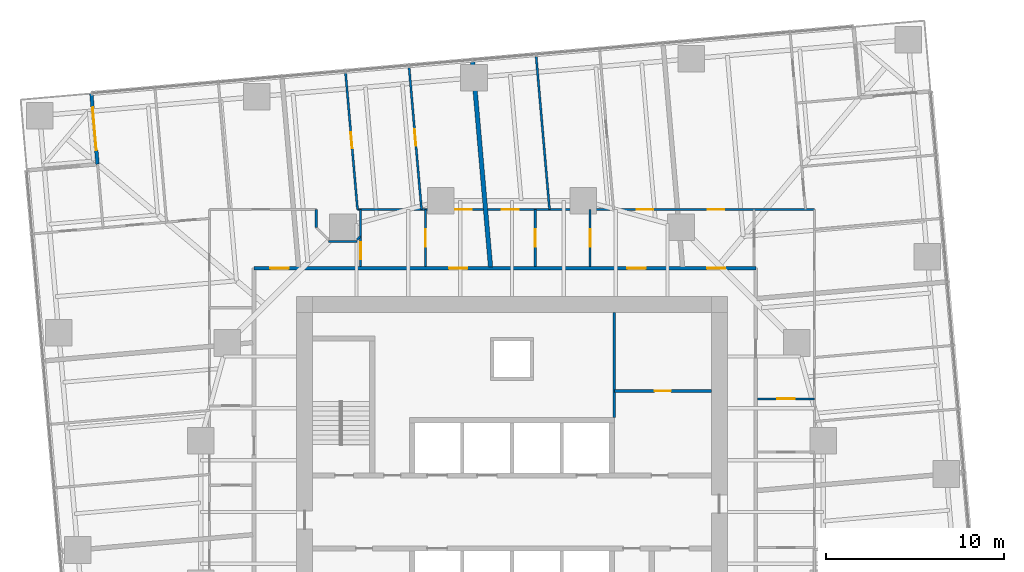
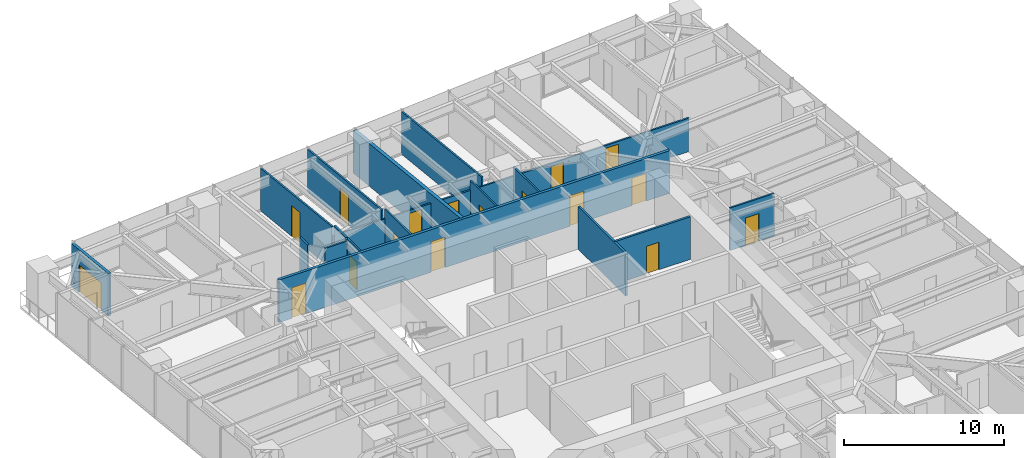
# One storey, part 12 of 14: 17 doors, 17 walls, 17 openings.
"""IFC4 building model written with IfcOpenShell, lengths in metres."""

from ifc_helpers import new_model, si_unit, direction, frame, frame_2d, origin, place, context, subcontext, project, spatial, rectangle, extrude, material, layer, layer_set, type_object, element, fill, save


model = new_model("IFC4")

# Units and contexts
model_context = context("Model", 3, precision=1e-05, world=origin(), true_north=direction((0.0, 1.0)))
body_context = subcontext(model_context, "Body", "Model", "MODEL_VIEW")
ifc_project = project(units=[si_unit("LENGTHUNIT", "METRE"), si_unit("AREAUNIT", "SQUARE_METRE"), si_unit("VOLUMEUNIT", "CUBIC_METRE"), si_unit("PLANEANGLEUNIT", "RADIAN"), si_unit("MASSUNIT", "GRAM", prefix="KILO")], contexts=[model_context])

# Site, building, storey
site_placement = place(None, origin())
site = spatial("IfcSite", under=ifc_project, at=site_placement, CompositionType="ELEMENT")
building_placement = place(site_placement, origin())
building = spatial("IfcBuilding", under=site, at=building_placement, Name="Torsade Residences", CompositionType="ELEMENT")
storey_placement = place(building_placement, frame((0.0, 0.0, 54.0)))
storey = spatial("IfcBuildingStorey", under=building, at=storey_placement, Name="L14", CompositionType="ELEMENT", Elevation=54.0)

# Wall, openings, doors
ifc_material_1 = material(Name="Plasterboard on steel stud", Category="steel")
ifc_layer_1 = layer(ifc_material_1, 0.199951171875)
ifc_layer_set_1 = layer_set([ifc_layer_1], Name="Plasterboard on steel stud")
wall_type_1 = type_object("IfcWallType", Name="CORRIDOR WALL 200", PredefinedType="PARTITIONING", material=ifc_layer_set_1)
wall_1_placement = place(storey_placement, frame((53.699951171875, 43.699951171875, 0.0), z_axis=(0.0, 0.0, 1.0), x_axis=(-1.0, 0.0, 0.0)))
wall_1 = element("IfcWall", 1, at=wall_1_placement, inside=storey, type_object=wall_type_1, Name="Corridor wall L14", PredefinedType="PARTITIONING", context=body_context, shape_type="SweptSolid", body=[
    extrude(rectangle(XDim=28.199951171875, YDim=0.199951171875, at=frame_2d((14.10009765625, 0.0))), origin(), (0.0, 0.0, 1.0), 3.25),
])
opening_1_placement = place(wall_1_placement, frame((6.1943359375, 0.0, 0.0)))
opening_1 = element("IfcOpeningElement", 2, at=opening_1_placement, cuts=wall_1, Name="Opening D01", PredefinedType="OPENING", context=body_context, shape_type="SweptSolid", body=[
    extrude(rectangle(XDim=1.02001953125, YDim=2.340087890625, at=frame_2d((0.510009765625, 1.169921875))), frame((0.0, 0.10986328125, 0.0), z_axis=(0.0, -1.0, 0.0), x_axis=(1.0, 0.0, 0.0)), (0.0, 0.0, 1.0), 0.219970703125),
])
opening_2_placement = place(wall_1_placement, frame((1.71484375, 0.0, 0.0)))
opening_2 = element("IfcOpeningElement", 3, at=opening_2_placement, cuts=wall_1, Name="Opening D01L", PredefinedType="OPENING", context=body_context, shape_type="SweptSolid", body=[
    extrude(rectangle(XDim=1.02001953125, YDim=2.10009765625, at=frame_2d((0.510009765625, 1.050048828125))), frame((0.0, 0.10986328125, 0.0), z_axis=(0.0, -1.0, 0.0), x_axis=(1.0, 0.0, 0.0)), (0.0, 0.0, 1.0), 0.219970703125),
])
opening_3_placement = place(wall_1_placement, frame((16.214599609375, 0.0, 0.0)))
opening_3 = element("IfcOpeningElement", 4, at=opening_3_placement, cuts=wall_1, Name="Opening D01", PredefinedType="OPENING", context=body_context, shape_type="SweptSolid", body=[
    extrude(rectangle(XDim=1.02001953125, YDim=2.340087890625, at=frame_2d((0.510009765625, 1.169921875))), frame((0.0, 0.10986328125, 0.0), z_axis=(0.0, -1.0, 0.0), x_axis=(1.0, 0.0, 0.0)), (0.0, 0.0, 1.0), 0.219970703125),
])
opening_4_placement = place(wall_1_placement, frame((26.25537109375, 0.0, 0.0)))
opening_4 = element("IfcOpeningElement", 5, at=opening_4_placement, cuts=wall_1, Name="Opening D01", PredefinedType="OPENING", context=body_context, shape_type="SweptSolid", body=[
    extrude(rectangle(XDim=1.02001953125, YDim=2.340087890625, at=frame_2d((0.510009765625, 1.169921875))), frame((0.0, 0.10986328125, 0.0), z_axis=(0.0, -1.0, 0.0), x_axis=(1.0, 0.0, 0.0)), (0.0, 0.0, 1.0), 0.219970703125),
])
ifc_material_2 = material(Name="Solid-core timber fire door", Category="wood")
door_type_1 = type_object("IfcDoorType", Name="APARTMENT ENTRY DOOR 1020x2100", OperationType="NOTDEFINED", PredefinedType="DOOR", material=ifc_material_2)
door_1_placement = place(opening_2_placement, origin())
door_1 = element("IfcDoor", 6, at=door_1_placement, inside=storey, type_object=door_type_1, Name="Door Residential corridor to Kitchen and dining", OperationType="SINGLE_SWING_LEFT", OverallHeight=2.10009765625, OverallWidth=1.02001953125, PredefinedType="DOOR", context=body_context, shape_type="SweptSolid", body=[
    extrude(rectangle(XDim=1.02001953125, YDim=2.10009765625, at=frame_2d((0.510009765625, 1.050048828125))), frame((0.0, 0.02490234375, 0.0), z_axis=(0.0, -1.0, 0.0), x_axis=(1.0, 0.0, 0.0)), (0.0, 0.0, 1.0), 0.050048828125),
])
fill(opening_2, door_1)
ifc_material_3 = material(Name="Solid-core timber fire door", Category="wood")
door_type_2 = type_object("IfcDoorType", Name="APARTMENT ENTRY DOOR 1020x2340", OperationType="NOTDEFINED", PredefinedType="DOOR", material=ifc_material_3)
door_2_placement = place(opening_1_placement, origin())
door_2 = element("IfcDoor", 7, at=door_2_placement, inside=storey, type_object=door_type_2, Name="Door Residential corridor to Kitchen and dining", OperationType="SINGLE_SWING_LEFT", OverallHeight=2.340087890625, OverallWidth=1.02001953125, PredefinedType="DOOR", context=body_context, shape_type="SweptSolid", body=[
    extrude(rectangle(XDim=1.02001953125, YDim=2.340087890625, at=frame_2d((0.510009765625, 1.169921875))), frame((0.0, 0.02490234375, 0.0), z_axis=(0.0, -1.0, 0.0), x_axis=(1.0, 0.0, 0.0)), (0.0, 0.0, 1.0), 0.050048828125),
])
fill(opening_1, door_2)
door_3_placement = place(opening_3_placement, origin())
door_3 = element("IfcDoor", 8, at=door_3_placement, inside=storey, type_object=door_type_2, Name="Door Residential corridor to Kitchen and dining", OperationType="SINGLE_SWING_RIGHT", OverallHeight=2.340087890625, OverallWidth=1.02001953125, PredefinedType="DOOR", context=body_context, shape_type="SweptSolid", body=[
    extrude(rectangle(XDim=1.02001953125, YDim=2.340087890625, at=frame_2d((0.510009765625, 1.169921875))), frame((0.0, 0.02490234375, 0.0), z_axis=(0.0, -1.0, 0.0), x_axis=(1.0, 0.0, 0.0)), (0.0, 0.0, 1.0), 0.050048828125),
])
fill(opening_3, door_3)
door_4_placement = place(opening_4_placement, origin())
door_4 = element("IfcDoor", 9, at=door_4_placement, inside=storey, type_object=door_type_2, Name="Door Residential corridor to Kitchen and dining", OperationType="SINGLE_SWING_RIGHT", OverallHeight=2.340087890625, OverallWidth=1.02001953125, PredefinedType="DOOR", context=body_context, shape_type="SweptSolid", body=[
    extrude(rectangle(XDim=1.02001953125, YDim=2.340087890625, at=frame_2d((0.510009765625, 1.169921875))), frame((0.0, 0.02490234375, 0.0), z_axis=(0.0, -1.0, 0.0), x_axis=(1.0, 0.0, 0.0)), (0.0, 0.0, 1.0), 0.050048828125),
])
fill(opening_4, door_4)

# Wall, opening, door
ifc_material_4 = material(Name="Plasterboard on steel stud", Category="steel")
ifc_layer_2 = layer(ifc_material_4, 0.1201171875)
ifc_layer_set_2 = layer_set([ifc_layer_2], Name="Plasterboard on steel stud")
wall_type_2 = type_object("IfcWallType", Name="PARTITION 120", PredefinedType="PARTITIONING", material=ifc_layer_set_2)
wall_2_placement = place(storey_placement, frame((57.0, 36.3603515625, 0.0), z_axis=(0.0, 0.0, 1.0), x_axis=(-1.0, 0.0, 0.0)))
wall_2 = element("IfcWall", 10, at=wall_2_placement, inside=storey, type_object=wall_type_2, Name="Partition L14", PredefinedType="PARTITIONING", context=body_context, shape_type="SweptSolid", body=[
    extrude(rectangle(XDim=3.199951171875, YDim=0.1201171875, at=frame_2d((1.60009765625, 0.0))), origin(), (0.0, 0.0, 1.0), 3.25),
])
opening_5_placement = place(wall_2_placement, frame((1.1201171875, 0.0, 0.0)))
opening_5 = element("IfcOpeningElement", 11, at=opening_5_placement, cuts=wall_2, Name="Opening D05", PredefinedType="OPENING", context=body_context, shape_type="SweptSolid", body=[
    extrude(rectangle(XDim=0.9599609375, YDim=2.10009765625, at=frame_2d((0.47998046875, 1.050048828125))), frame((0.0, 0.070068359375, 0.0), z_axis=(0.0, -1.0, 0.0), x_axis=(1.0, 0.0, 0.0)), (0.0, 0.0, 1.0), 0.14013671875),
])
ifc_material_5 = material(Name="Hollow-core timber door in a steel cavity frame", Category="steel")
door_type_3 = type_object("IfcDoorType", Name="BATHROOM CAVITY SLIDING DOOR 960", OperationType="SLIDING_TO_LEFT", PredefinedType="DOOR", material=ifc_material_5)
door_5_placement = place(opening_5_placement, origin())
door_5 = element("IfcDoor", 12, at=door_5_placement, inside=storey, type_object=door_type_3, Name="Door Kitchen and dining to Bathroom", OperationType="SLIDING_TO_LEFT", OverallHeight=2.10009765625, OverallWidth=0.9599609375, PredefinedType="DOOR", context=body_context, shape_type="SweptSolid", body=[
    extrude(rectangle(XDim=0.9599609375, YDim=2.10009765625, at=frame_2d((0.47998046875, 1.050048828125))), frame((0.0, 0.02490234375, 0.0), z_axis=(0.0, -1.0, 0.0), x_axis=(1.0, 0.0, 0.0)), (0.0, 0.0, 1.0), 0.050048828125),
])
fill(opening_5, door_5)

# Wall, openings, doors
wall_3_placement = place(storey_placement, frame((31.318603515625, 47.0, 0.0), z_axis=(0.0, 0.0, 1.0), x_axis=(1.0, 0.0, 0.0)))
wall_3 = element("IfcWall", 13, at=wall_3_placement, inside=storey, type_object=wall_type_2, Name="Partition L14", PredefinedType="PARTITIONING", context=body_context, shape_type="SweptSolid", body=[
    extrude(rectangle(XDim=25.681396484375, YDim=0.1201171875, at=frame_2d((12.8408203125, 0.0))), origin(), (0.0, 0.0, 1.0), 2.550048828125),
])
opening_6_placement = place(wall_3_placement, frame((15.701416015625, 0.0, 0.0)))
opening_6 = element("IfcOpeningElement", 14, at=opening_6_placement, cuts=wall_3, Name="Opening D02", PredefinedType="OPENING", context=body_context, shape_type="SweptSolid", body=[
    extrude(rectangle(XDim=0.919921875, YDim=2.340087890625, at=frame_2d((0.4599609375, 1.169921875))), frame((0.0, 0.070068359375, 0.0), z_axis=(0.0, -1.0, 0.0), x_axis=(1.0, 0.0, 0.0)), (0.0, 0.0, 1.0), 0.14013671875),
])
opening_7_placement = place(wall_3_placement, frame((19.67626953125, 0.0, 0.0)))
opening_7 = element("IfcOpeningElement", 15, at=opening_7_placement, cuts=wall_3, Name="Opening D02", PredefinedType="OPENING", context=body_context, shape_type="SweptSolid", body=[
    extrude(rectangle(XDim=0.919921875, YDim=2.340087890625, at=frame_2d((0.4599609375, 1.169921875))), frame((0.0, 0.070068359375, 0.0), z_axis=(0.0, -1.0, 0.0), x_axis=(1.0, 0.0, 0.0)), (0.0, 0.0, 1.0), 0.14013671875),
])
opening_8_placement = place(wall_3_placement, frame((5.49755859375, 0.0, 0.0)))
opening_8 = element("IfcOpeningElement", 16, at=opening_8_placement, cuts=wall_3, Name="Opening D02", PredefinedType="OPENING", context=body_context, shape_type="SweptSolid", body=[
    extrude(rectangle(XDim=0.919921875, YDim=2.340087890625, at=frame_2d((0.4599609375, 1.169921875))), frame((0.0, 0.070068359375, 0.0), z_axis=(0.0, -1.0, 0.0), x_axis=(1.0, 0.0, 0.0)), (0.0, 0.0, 1.0), 0.14013671875),
])
opening_9_placement = place(wall_3_placement, frame((8.1103515625, 0.0, 0.0)))
opening_9 = element("IfcOpeningElement", 17, at=opening_9_placement, cuts=wall_3, Name="Opening D05", PredefinedType="OPENING", context=body_context, shape_type="SweptSolid", body=[
    extrude(rectangle(XDim=0.9599609375, YDim=2.10009765625, at=frame_2d((0.47998046875, 1.050048828125))), frame((0.0, 0.070068359375, 0.0), z_axis=(0.0, -1.0, 0.0), x_axis=(1.0, 0.0, 0.0)), (0.0, 0.0, 1.0), 0.14013671875),
])
door_6_placement = place(opening_9_placement, origin())
door_6 = element("IfcDoor", 18, at=door_6_placement, inside=storey, type_object=door_type_3, Name="Door Ensuite to Bedroom 2", OperationType="SLIDING_TO_LEFT", OverallHeight=2.10009765625, OverallWidth=0.9599609375, PredefinedType="DOOR", context=body_context, shape_type="SweptSolid", body=[
    extrude(rectangle(XDim=0.9599609375, YDim=2.10009765625, at=frame_2d((0.47998046875, 1.050048828125))), frame((0.0, 0.02490234375, 0.0), z_axis=(0.0, -1.0, 0.0), x_axis=(1.0, 0.0, 0.0)), (0.0, 0.0, 1.0), 0.050048828125),
])
fill(opening_9, door_6)
ifc_material_6 = material(Name="Hollow-core timber door", Category="wood")
door_type_4 = type_object("IfcDoorType", Name="INTERNAL DOOR 920x2340", OperationType="NOTDEFINED", PredefinedType="DOOR", material=ifc_material_6)
door_7_placement = place(opening_6_placement, origin())
door_7 = element("IfcDoor", 19, at=door_7_placement, inside=storey, type_object=door_type_4, Name="Door Kitchen and dining to Living room", OperationType="SINGLE_SWING_RIGHT", OverallHeight=2.340087890625, OverallWidth=0.919921875, PredefinedType="DOOR", context=body_context, shape_type="SweptSolid", body=[
    extrude(rectangle(XDim=0.919921875, YDim=2.340087890625, at=frame_2d((0.4599609375, 1.169921875))), frame((0.0, 0.02490234375, 0.0), z_axis=(0.0, -1.0, 0.0), x_axis=(1.0, 0.0, 0.0)), (0.0, 0.0, 1.0), 0.050048828125),
])
fill(opening_6, door_7)
door_8_placement = place(opening_7_placement, origin())
door_8 = element("IfcDoor", 20, at=door_8_placement, inside=storey, type_object=door_type_4, Name="Door Kitchen and dining to Living room", OperationType="SINGLE_SWING_LEFT", OverallHeight=2.340087890625, OverallWidth=0.919921875, PredefinedType="DOOR", context=body_context, shape_type="SweptSolid", body=[
    extrude(rectangle(XDim=0.919921875, YDim=2.340087890625, at=frame_2d((0.4599609375, 1.169921875))), frame((0.0, 0.02490234375, 0.0), z_axis=(0.0, -1.0, 0.0), x_axis=(1.0, 0.0, 0.0)), (0.0, 0.0, 1.0), 0.050048828125),
])
fill(opening_7, door_8)
door_9_placement = place(opening_8_placement, origin())
door_9 = element("IfcDoor", 21, at=door_9_placement, inside=storey, type_object=door_type_4, Name="Door Kitchen and dining to Living room", OperationType="SINGLE_SWING_LEFT", OverallHeight=2.340087890625, OverallWidth=0.919921875, PredefinedType="DOOR", context=body_context, shape_type="SweptSolid", body=[
    extrude(rectangle(XDim=0.919921875, YDim=2.340087890625, at=frame_2d((0.4599609375, 1.169921875))), frame((0.0, 0.02490234375, 0.0), z_axis=(0.0, -1.0, 0.0), x_axis=(1.0, 0.0, 0.0)), (0.0, 0.0, 1.0), 0.050048828125),
])
fill(opening_8, door_9)

# Wall, opening, door
wall_4_placement = place(storey_placement, frame((44.38916015625, 43.800048828125, 0.0), z_axis=(0.0, 0.0, 1.0), x_axis=(0.0, 1.0, 0.0)))
wall_4 = element("IfcWall", 22, at=wall_4_placement, inside=storey, type_object=wall_type_2, Name="Partition L14", PredefinedType="PARTITIONING", context=body_context, shape_type="SweptSolid", body=[
    extrude(rectangle(XDim=3.199951171875, YDim=0.1201171875, at=frame_2d((1.60009765625, 0.0))), origin(), (0.0, 0.0, 1.0), 3.25),
])
opening_10_placement = place(wall_4_placement, frame((1.1201171875, 0.0, 0.0)))
opening_10 = element("IfcOpeningElement", 23, at=opening_10_placement, cuts=wall_4, Name="Opening D05", PredefinedType="OPENING", context=body_context, shape_type="SweptSolid", body=[
    extrude(rectangle(XDim=0.9599609375, YDim=2.10009765625, at=frame_2d((0.47998046875, 1.050048828125))), frame((0.0, 0.070068359375, 0.0), z_axis=(0.0, -1.0, 0.0), x_axis=(1.0, 0.0, 0.0)), (0.0, 0.0, 1.0), 0.14013671875),
])
door_10_placement = place(opening_10_placement, origin())
door_10 = element("IfcDoor", 24, at=door_10_placement, inside=storey, type_object=door_type_3, Name="Door Kitchen and dining to Bathroom", OperationType="SLIDING_TO_LEFT", OverallHeight=2.10009765625, OverallWidth=0.9599609375, PredefinedType="DOOR", context=body_context, shape_type="SweptSolid", body=[
    extrude(rectangle(XDim=0.9599609375, YDim=2.10009765625, at=frame_2d((0.47998046875, 1.050048828125))), frame((0.0, 0.02490234375, 0.0), z_axis=(0.0, -1.0, 0.0), x_axis=(1.0, 0.0, 0.0)), (0.0, 0.0, 1.0), 0.050048828125),
])
fill(opening_10, door_10)

wall_5_placement = place(storey_placement, frame((41.305419921875, 43.800048828125, 0.0), z_axis=(0.0, 0.0, 1.0), x_axis=(0.0, 1.0, 0.0)))
wall_5 = element("IfcWall", 25, at=wall_5_placement, inside=storey, type_object=wall_type_2, Name="Partition L14", PredefinedType="PARTITIONING", context=body_context, shape_type="SweptSolid", body=[
    extrude(rectangle(XDim=3.199951171875, YDim=0.1201171875, at=frame_2d((1.60009765625, 0.0))), origin(), (0.0, 0.0, 1.0), 3.25),
])
opening_11_placement = place(wall_5_placement, frame((1.1201171875, 0.0, 0.0)))
opening_11 = element("IfcOpeningElement", 26, at=opening_11_placement, cuts=wall_5, Name="Opening D05", PredefinedType="OPENING", context=body_context, shape_type="SweptSolid", body=[
    extrude(rectangle(XDim=0.9599609375, YDim=2.10009765625, at=frame_2d((0.47998046875, 1.050048828125))), frame((0.0, 0.070068359375, 0.0), z_axis=(0.0, -1.0, 0.0), x_axis=(1.0, 0.0, 0.0)), (0.0, 0.0, 1.0), 0.14013671875),
])
door_11_placement = place(opening_11_placement, origin())
door_11 = element("IfcDoor", 27, at=door_11_placement, inside=storey, type_object=door_type_3, Name="Door Bathroom to Ensuite", OperationType="SLIDING_TO_LEFT", OverallHeight=2.10009765625, OverallWidth=0.9599609375, PredefinedType="DOOR", context=body_context, shape_type="SweptSolid", body=[
    extrude(rectangle(XDim=0.9599609375, YDim=2.10009765625, at=frame_2d((0.47998046875, 1.050048828125))), frame((0.0, 0.02490234375, 0.0), z_axis=(0.0, -1.0, 0.0), x_axis=(1.0, 0.0, 0.0)), (0.0, 0.0, 1.0), 0.050048828125),
])
fill(opening_11, door_11)

# Wall
wall_6_placement = place(storey_placement, frame((42.109619140625, 47.0, 0.0), z_axis=(0.0, 0.0, 1.0), x_axis=(-0.087158256162, 0.996194478193, 0.0)))
element("IfcWall", 28, at=wall_6_placement, inside=storey, type_object=wall_type_2, Name="Partition L14", PredefinedType="PARTITIONING", context=body_context, shape_type="SweptSolid", body=[
    extrude(rectangle(XDim=8.708740234375, YDim=0.1201171875, at=frame_2d((4.3544921875, 0.0))), origin(), (0.0, 0.0, 1.0), 3.25),
])

# Wall, opening, door
wall_7_placement = place(storey_placement, frame((35.1396484375, 43.800048828125, 0.0), z_axis=(0.0, 0.0, 1.0), x_axis=(0.0, 1.0, 0.0)))
wall_7 = element("IfcWall", 29, at=wall_7_placement, inside=storey, type_object=wall_type_2, Name="Partition L14", PredefinedType="PARTITIONING", context=body_context, shape_type="SweptSolid", body=[
    extrude(rectangle(XDim=3.199951171875, YDim=0.1201171875, at=frame_2d((1.60009765625, 0.0))), origin(), (0.0, 0.0, 1.0), 3.25),
])
opening_12_placement = place(wall_7_placement, frame((1.1201171875, 0.0, 0.0)))
opening_12 = element("IfcOpeningElement", 30, at=opening_12_placement, cuts=wall_7, Name="Opening D05", PredefinedType="OPENING", context=body_context, shape_type="SweptSolid", body=[
    extrude(rectangle(XDim=0.9599609375, YDim=2.10009765625, at=frame_2d((0.47998046875, 1.050048828125))), frame((0.0, 0.070068359375, 0.0), z_axis=(0.0, -1.0, 0.0), x_axis=(1.0, 0.0, 0.0)), (0.0, 0.0, 1.0), 0.14013671875),
])
door_12_placement = place(opening_12_placement, origin())
door_12 = element("IfcDoor", 31, at=door_12_placement, inside=storey, type_object=door_type_3, Name="Door Kitchen and dining to Bathroom", OperationType="SLIDING_TO_LEFT", OverallHeight=2.10009765625, OverallWidth=0.9599609375, PredefinedType="DOOR", context=body_context, shape_type="SweptSolid", body=[
    extrude(rectangle(XDim=0.9599609375, YDim=2.10009765625, at=frame_2d((0.47998046875, 1.050048828125))), frame((0.0, 0.02490234375, 0.0), z_axis=(0.0, -1.0, 0.0), x_axis=(1.0, 0.0, 0.0)), (0.0, 0.0, 1.0), 0.050048828125),
])
fill(opening_12, door_12)

wall_8_placement = place(storey_placement, frame((31.49560546875, 43.800048828125, 0.0), z_axis=(0.0, 0.0, 1.0), x_axis=(0.0, 1.0, 0.0)))
wall_8 = element("IfcWall", 32, at=wall_8_placement, inside=storey, type_object=wall_type_2, Name="Partition L14", PredefinedType="PARTITIONING", context=body_context, shape_type="SweptSolid", body=[
    extrude(rectangle(XDim=3.199951171875, YDim=0.1201171875, at=frame_2d((1.60009765625, 0.0))), origin(), (0.0, 0.0, 1.0), 3.25),
])
opening_13_placement = place(wall_8_placement, frame((0.403076171875, 0.0, 0.0)))
opening_13 = element("IfcOpeningElement", 33, at=opening_13_placement, cuts=wall_8, Name="Opening D05", PredefinedType="OPENING", context=body_context, shape_type="SweptSolid", body=[
    extrude(rectangle(XDim=0.9599609375, YDim=2.10009765625, at=frame_2d((0.47998046875, 1.050048828125))), frame((0.0, 0.070068359375, 0.0), z_axis=(0.0, -1.0, 0.0), x_axis=(1.0, 0.0, 0.0)), (0.0, 0.0, 1.0), 0.14013671875),
])
door_13_placement = place(opening_13_placement, origin())
door_13 = element("IfcDoor", 34, at=door_13_placement, inside=storey, type_object=door_type_3, Name="Door Bathroom to Ensuite", OperationType="SLIDING_TO_LEFT", OverallHeight=2.10009765625, OverallWidth=0.9599609375, PredefinedType="DOOR", context=body_context, shape_type="SweptSolid", body=[
    extrude(rectangle(XDim=0.9599609375, YDim=2.10009765625, at=frame_2d((0.47998046875, 1.050048828125))), frame((0.0, 0.02490234375, 0.0), z_axis=(0.0, -1.0, 0.0), x_axis=(1.0, 0.0, 0.0)), (0.0, 0.0, 1.0), 0.050048828125),
])
fill(opening_13, door_13)

# Walls
wall_9_placement = place(storey_placement, frame((29.0, 47.0, 0.0), z_axis=(0.0, 0.0, 1.0), x_axis=(0.0, -1.0, 0.0)))
element("IfcWall", 35, at=wall_9_placement, inside=storey, type_object=wall_type_2, Name="Partition L14", PredefinedType="PARTITIONING", context=body_context, shape_type="SweptSolid", body=[
    extrude(rectangle(XDim=1.0, YDim=0.1201171875, at=frame_2d((0.5, 0.0))), origin(), (0.0, 0.0, 1.0), 3.25),
])
wall_10_placement = place(storey_placement, frame((29.699951171875, 45.199951171875, 0.0), z_axis=(0.0, 0.0, 1.0), x_axis=(1.0, 0.0, 0.0)))
element("IfcWall", 36, at=wall_10_placement, inside=storey, type_object=wall_type_2, Name="Partition L14", PredefinedType="PARTITIONING", context=body_context, shape_type="SweptSolid", body=[
    extrude(rectangle(XDim=1.60009765625, YDim=0.1201171875, at=frame_2d((0.800048828125, 0.0))), origin(), (0.0, 0.0, 1.0), 3.25),
])
wall_11_placement = place(storey_placement, frame((31.300048828125, 45.300048828125, 0.0), z_axis=(0.0, 0.0, 1.0), x_axis=(0.707106781187, 0.707106781187, 0.0)))
element("IfcWall", 37, at=wall_11_placement, inside=storey, type_object=wall_type_2, Name="Partition L14", PredefinedType="PARTITIONING", context=body_context, shape_type="SweptSolid", body=[
    extrude(rectangle(XDim=0.276611328125, YDim=0.1201171875, at=frame_2d((0.13818359375, 0.0))), origin(), (0.0, 0.0, 1.0), 3.25),
])

# Wall, opening, door
wall_12_placement = place(storey_placement, frame((34.915771484375, 47.0, 0.0), z_axis=(0.0, 0.0, 1.0), x_axis=(-0.087184938313, 0.99619214338, 0.0)))
wall_12 = element("IfcWall", 38, at=wall_12_placement, inside=storey, type_object=wall_type_2, Name="Partition L14", PredefinedType="PARTITIONING", context=body_context, shape_type="SweptSolid", body=[
    extrude(rectangle(XDim=8.08154296875, YDim=0.1201171875, at=frame_2d((4.040771484375, 0.0))), origin(), (0.0, 0.0, 1.0), 3.25),
])
opening_14_placement = place(wall_12_placement, frame((3.600830078125, 0.0, 0.0)))
opening_14 = element("IfcOpeningElement", 39, at=opening_14_placement, cuts=wall_12, Name="Opening D02", PredefinedType="OPENING", context=body_context, shape_type="SweptSolid", body=[
    extrude(rectangle(XDim=0.919921875, YDim=2.340087890625, at=frame_2d((0.4599609375, 1.169921875))), frame((0.0, 0.070068359375, 0.0), z_axis=(0.0, -1.0, 0.0), x_axis=(1.0, 0.0, 0.0)), (0.0, 0.0, 1.0), 0.14013671875),
])
door_14_placement = place(opening_14_placement, origin())
door_14 = element("IfcDoor", 40, at=door_14_placement, inside=storey, type_object=door_type_4, Name="Door Living room to Bedroom 1", OperationType="SINGLE_SWING_RIGHT", OverallHeight=2.340087890625, OverallWidth=0.919921875, PredefinedType="DOOR", context=body_context, shape_type="SweptSolid", body=[
    extrude(rectangle(XDim=0.919921875, YDim=2.340087890625, at=frame_2d((0.4599609375, 1.169921875))), frame((0.0, 0.02490234375, 0.0), z_axis=(0.0, -1.0, 0.0), x_axis=(1.0, 0.0, 0.0)), (0.0, 0.0, 1.0), 0.050048828125),
])
fill(opening_14, door_14)

wall_13_placement = place(storey_placement, frame((31.318603515625, 47.0, 0.0), z_axis=(0.0, 0.0, 1.0), x_axis=(-0.0871517452, 0.996195047824, 0.0)))
wall_13 = element("IfcWall", 41, at=wall_13_placement, inside=storey, type_object=wall_type_2, Name="Partition L14", PredefinedType="PARTITIONING", context=body_context, shape_type="SweptSolid", body=[
    extrude(rectangle(XDim=7.76806640625, YDim=0.1201171875, at=frame_2d((3.884033203125, 0.0))), origin(), (0.0, 0.0, 1.0), 3.25),
])
opening_15_placement = place(wall_13_placement, frame((3.444091796875, 0.0, 0.0)))
opening_15 = element("IfcOpeningElement", 42, at=opening_15_placement, cuts=wall_13, Name="Opening D02", PredefinedType="OPENING", context=body_context, shape_type="SweptSolid", body=[
    extrude(rectangle(XDim=0.919921875, YDim=2.340087890625, at=frame_2d((0.4599609375, 1.169921875))), frame((0.0, 0.070068359375, 0.0), z_axis=(0.0, -1.0, 0.0), x_axis=(1.0, 0.0, 0.0)), (0.0, 0.0, 1.0), 0.14013671875),
])
door_15_placement = place(opening_15_placement, origin())
door_15 = element("IfcDoor", 43, at=door_15_placement, inside=storey, type_object=door_type_4, Name="Door Bedroom 1 to Bedroom 2", OperationType="SINGLE_SWING_LEFT", OverallHeight=2.340087890625, OverallWidth=0.919921875, PredefinedType="DOOR", context=body_context, shape_type="SweptSolid", body=[
    extrude(rectangle(XDim=0.919921875, YDim=2.340087890625, at=frame_2d((0.4599609375, 1.169921875))), frame((0.0, 0.02490234375, 0.0), z_axis=(0.0, -1.0, 0.0), x_axis=(1.0, 0.0, 0.0)), (0.0, 0.0, 1.0), 0.050048828125),
])
fill(opening_15, door_15)

# Walls
ifc_material_7 = material(Name="Masonry-lined stud party wall", Category="masonry")
ifc_layer_3 = layer(ifc_material_7, 0.25)
ifc_layer_set_3 = layer_set([ifc_layer_3], Name="Masonry-lined stud party wall")
wall_type_3 = type_object("IfcWallType", Name="PARTY WALL 250", PredefinedType="PARTITIONING", material=ifc_layer_set_3)
wall_14_placement = place(storey_placement, frame((37.777587890625, 55.403076171875, 0.0), z_axis=(0.0, 0.0, 1.0), x_axis=(0.087147497287, -0.996195419442, 0.0)))
element("IfcWall", 44, at=wall_14_placement, inside=storey, type_object=wall_type_3, Name="Party wall L14", PredefinedType="PARTITIONING", context=body_context, shape_type="SweptSolid", body=[
    extrude(rectangle(XDim=11.676513671875, YDim=0.25, at=frame_2d((5.83837890625, 0.0))), origin(), (0.0, 0.0, 1.0), 3.25),
])
ifc_material_8 = material(Name="Reinforced blockwork", Category="masonry")
ifc_layer_4 = layer(ifc_material_8, 0.14990234375)
ifc_layer_set_4 = layer_set([ifc_layer_4], Name="Reinforced blockwork")
wall_type_4 = type_object("IfcWallType", Name="SERVICE ROOM WALL 150", PredefinedType="SOLIDWALL", material=ifc_layer_set_4)
wall_15_placement = place(storey_placement, frame((45.75, 41.199951171875, 0.0), z_axis=(0.0, 0.0, 1.0), x_axis=(0.0, -1.0, 0.0)))
element("IfcWall", 45, at=wall_15_placement, inside=storey, type_object=wall_type_4, Name="Service room wall L14", PredefinedType="SOLIDWALL", context=body_context, shape_type="SweptSolid", body=[
    extrude(rectangle(XDim=5.89990234375, YDim=0.14990234375, at=frame_2d((2.949951171875, 0.0))), origin(), (0.0, 0.0, 1.0), 3.25),
])

# Wall, opening, door
wall_16_placement = place(storey_placement, frame((45.75, 36.800048828125, 0.0), z_axis=(0.0, 0.0, 1.0), x_axis=(1.0, 0.0, 0.0)))
wall_16 = element("IfcWall", 46, at=wall_16_placement, inside=storey, type_object=wall_type_4, Name="Service room wall L14", PredefinedType="SOLIDWALL", context=body_context, shape_type="SweptSolid", body=[
    extrude(rectangle(XDim=5.449951171875, YDim=0.14990234375, at=frame_2d((2.72509765625, 0.0))), origin(), (0.0, 0.0, 1.0), 3.25),
])
opening_16_placement = place(wall_16_placement, frame((2.264892578125, 0.0, 0.0)))
opening_16 = element("IfcOpeningElement", 47, at=opening_16_placement, cuts=wall_16, Name="Opening D06", PredefinedType="OPENING", context=body_context, shape_type="SweptSolid", body=[
    extrude(rectangle(XDim=0.919921875, YDim=2.10009765625, at=frame_2d((0.4599609375, 1.050048828125))), frame((0.0, 0.0849609375, 0.0), z_axis=(0.0, -1.0, 0.0), x_axis=(1.0, 0.0, 0.0)), (0.0, 0.0, 1.0), 0.169921875),
])
ifc_material_9 = material(Name="Steel-framed fire door", Category="steel")
door_type_5 = type_object("IfcDoorType", Name="FIRE DOOR 920", OperationType="NOTDEFINED", PredefinedType="DOOR", material=ifc_material_9)
door_16_placement = place(opening_16_placement, origin())
door_16 = element("IfcDoor", 48, at=door_16_placement, inside=storey, type_object=door_type_5, Name="Door Refuse room to Linen store", OperationType="SINGLE_SWING_LEFT", OverallHeight=2.10009765625, OverallWidth=0.919921875, PredefinedType="DOOR", context=body_context, shape_type="SweptSolid", body=[
    extrude(rectangle(XDim=0.919921875, YDim=2.10009765625, at=frame_2d((0.4599609375, 1.050048828125))), frame((0.0, 0.02490234375, 0.0), z_axis=(0.0, -1.0, 0.0), x_axis=(1.0, 0.0, 0.0)), (0.0, 0.0, 1.0), 0.050048828125),
])
fill(opening_16, door_16)

ifc_material_10 = material(Name="Stone-faced precast concrete 40 MPa panel", Category="masonry")
ifc_layer_5 = layer(ifc_material_10, 0.199951171875)
ifc_layer_set_5 = layer_set([ifc_layer_5], Name="Stone-faced precast concrete 40 MPa panel")
wall_type_5 = type_object("IfcWallType", Name="TERRACE WALL 200", PredefinedType="SOLIDWALL", material=ifc_layer_set_5)
wall_17_placement = place(storey_placement, frame((16.359375, 53.529052734375, 0.0), z_axis=(0.0, 0.0, 1.0), x_axis=(0.087161650072, -0.99619418125, 0.0)))
wall_17 = element("IfcWall", 49, at=wall_17_placement, inside=storey, type_object=wall_type_5, Name="Terrace wall L14 8", PredefinedType="SOLIDWALL", context=body_context, shape_type="SweptSolid", body=[
    extrude(rectangle(XDim=3.999755859375, YDim=0.199951171875, at=frame_2d((2.0, 0.0))), origin(), (0.0, 0.0, 1.0), 3.25),
])
opening_17_placement = place(wall_17_placement, frame((0.800048828125, 0.0, 0.0)))
opening_17 = element("IfcOpeningElement", 50, at=opening_17_placement, cuts=wall_17, Name="Opening D10A", PredefinedType="OPENING", context=body_context, shape_type="SweptSolid", body=[
    extrude(rectangle(XDim=2.39990234375, YDim=2.10009765625, at=frame_2d((1.199951171875, 1.050048828125))), frame((0.0, 0.10986328125, 0.0), z_axis=(0.0, -1.0, 0.0), x_axis=(1.0, 0.0, 0.0)), (0.0, 0.0, 1.0), 0.219970703125),
])
ifc_material_11 = material(Name="Aluminium-framed glass door", Category="aluminium")
door_type_6 = type_object("IfcDoorType", Name="TERRACE SLIDING DOOR 2400x2100", OperationType="SLIDING_TO_LEFT", PredefinedType="DOOR", material=ifc_material_11)
door_17_placement = place(opening_17_placement, origin())
door_17 = element("IfcDoor", 51, at=door_17_placement, inside=storey, type_object=door_type_6, Name="Terrace door L14 8", OperationType="SLIDING_TO_LEFT", OverallHeight=2.10009765625, OverallWidth=2.39990234375, PredefinedType="DOOR", context=body_context, shape_type="SweptSolid", body=[
    extrude(rectangle(XDim=2.39990234375, YDim=2.10009765625, at=frame_2d((1.199951171875, 1.050048828125))), frame((0.0, 0.02490234375, 0.0), z_axis=(0.0, -1.0, 0.0), x_axis=(1.0, 0.0, 0.0)), (0.0, 0.0, 1.0), 0.050048828125),
])
fill(opening_17, door_17)

save(model, "model.ifc")
